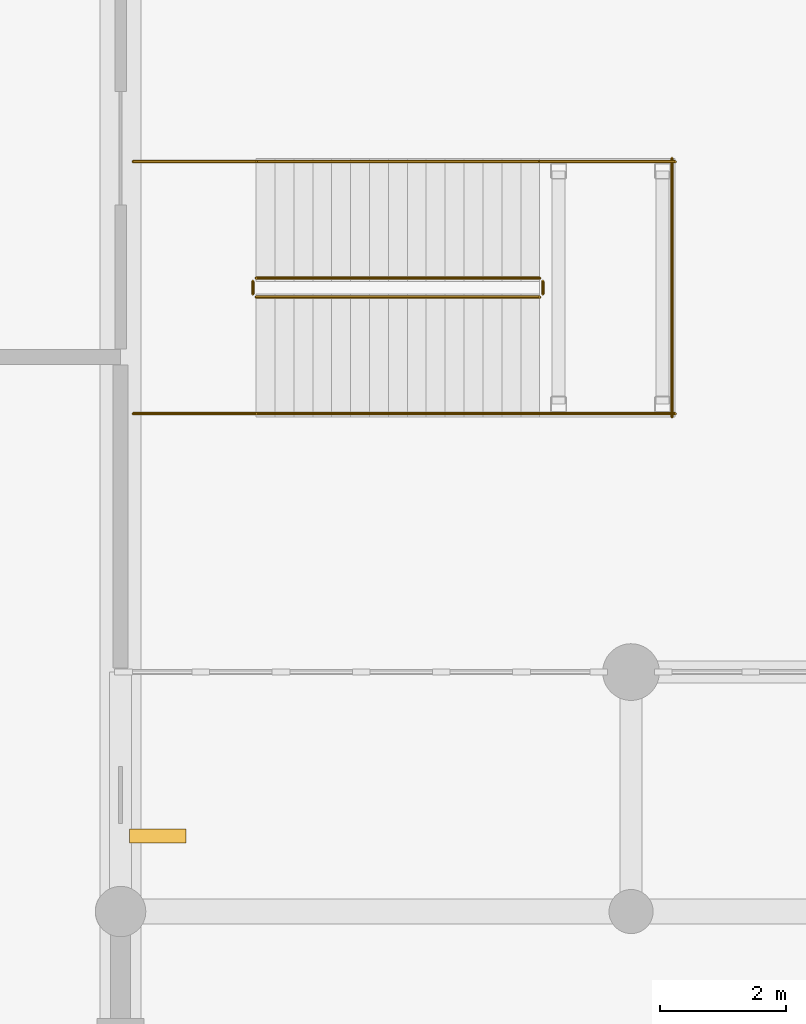
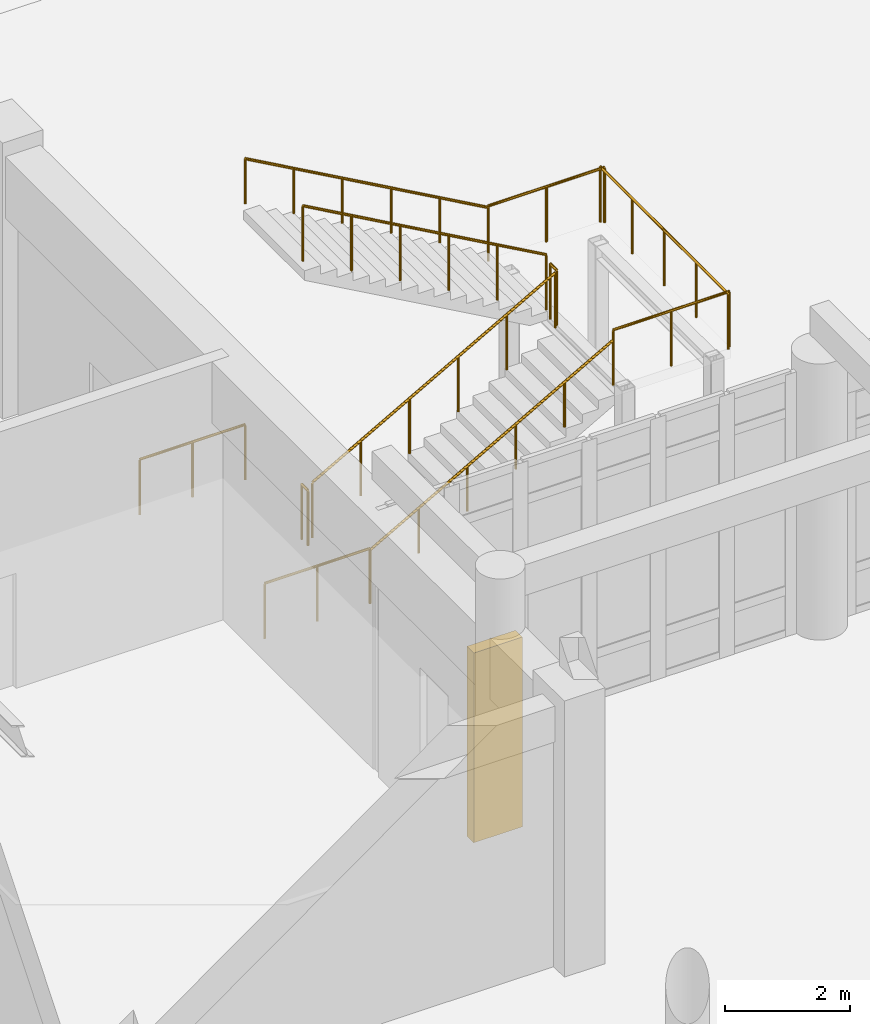
# One storey, part 54 of 62: 11 railings, 1 shading device.
"""IFC4 building model written with IfcOpenShell, lengths in metres."""

from ifc_helpers import new_model, si_unit, direction, frame, origin, origin_2d, place, context, subcontext, project, spatial, rectangle, circle, extrude, material, material_profile, profile_set, type_object, element, save


model = new_model("IFC4")

# Units and contexts
model_context = context("Model", 3, precision=1e-05, world=origin(), true_north=direction((0.0, 1.0)))
body_context = subcontext(model_context, "Body", "Model", "MODEL_VIEW")
ifc_project = project(units=[si_unit("LENGTHUNIT", "METRE"), si_unit("AREAUNIT", "SQUARE_METRE"), si_unit("VOLUMEUNIT", "CUBIC_METRE"), si_unit("PLANEANGLEUNIT", "RADIAN"), si_unit("MASSUNIT", "GRAM", prefix="KILO")], contexts=[model_context])

# Site, building, storey
site_placement = place(None, origin())
site = spatial("IfcSite", under=ifc_project, at=site_placement, CompositionType="ELEMENT")
building_placement = place(site_placement, origin())
building = spatial("IfcBuilding", under=site, at=building_placement, Name="Tarnveldt Square Police Headquarters", CompositionType="ELEMENT")
storey_placement = place(building_placement, origin())
storey = spatial("IfcBuildingStorey", under=building, at=storey_placement, Name="L00", CompositionType="ELEMENT", Elevation=0.0)

# Railings
ifc_material_1 = material(Name="Steel 350W", Category="steel")
railing_type_1 = type_object("IfcRailingType", Name="RL-GR-1100", PredefinedType="GUARDRAIL", material=ifc_material_1)
railing_1_placement = place(storey_placement, frame((66.949951171875, 27.949951171875, 0.168701171875)))
element("IfcRailing", 1, at=railing_1_placement, inside=storey, type_object=railing_type_1, Name="L00 ST5 stair guard 1", PredefinedType="GUARDRAIL", context=body_context, shape_type="SweptSolid", body=[
    extrude(circle(Radius=0.02392578125, at=origin_2d()), frame((0.0, 0.0, 1.076171875), z_axis=(0.871575537125, 0.0, 0.490261239633), x_axis=(0.0, 1.0, 0.0)), (0.0, 0.0, 1.0), 5.1630859375),
    extrude(circle(Radius=0.02099609375, at=origin_2d()), origin(), (0.0, 0.0, 1.0), 1.052001953125),
    extrude(circle(Radius=0.02099609375, at=origin_2d()), frame((0.89990234375, 0.0, 0.50634765625)), (0.0, 0.0, 1.0), 1.052001953125),
    extrude(circle(Radius=0.02099609375, at=origin_2d()), frame((1.800048828125, 0.0, 1.012451171875)), (0.0, 0.0, 1.0), 1.052001953125),
    extrude(circle(Radius=0.02099609375, at=origin_2d()), frame((2.699951171875, 0.0, 1.518798828125)), (0.0, 0.0, 1.0), 1.052001953125),
    extrude(circle(Radius=0.02099609375, at=origin_2d()), frame((3.60009765625, 0.0, 2.02490234375)), (0.0, 0.0, 1.0), 1.052001953125),
    extrude(circle(Radius=0.02099609375, at=origin_2d()), frame((4.5, 0.0, 2.53125)), (0.0, 0.0, 1.0), 1.052001953125),
])
railing_2_placement = place(storey_placement, frame((71.5, 28.0, 2.699951171875)))
element("IfcRailing", 2, at=railing_2_placement, inside=storey, type_object=railing_type_1, Name="L00 ST5 stair guard 2", PredefinedType="GUARDRAIL", context=body_context, shape_type="SweptSolid", body=[
    extrude(circle(Radius=0.02392578125, at=origin_2d()), frame((0.0, 0.0, 1.076171875), z_axis=(0.0, 1.0, 0.0), x_axis=(-1.0, 0.0, 0.0)), (0.0, 0.0, 1.0), 0.199951171875),
    extrude(circle(Radius=0.02099609375, at=origin_2d()), origin(), (0.0, 0.0, 1.0), 1.052001953125),
    extrude(circle(Radius=0.02099609375, at=origin_2d()), frame((0.0, 0.199951171875, 0.0)), (0.0, 0.0, 1.0), 1.052001953125),
])
for number, where, name in (
    (3, (71.449951171875, 26.10009765625, 2.699951171875), "L00 ST5 stair guard 3"),
    (4, (71.449951171875, 30.10009765625, 2.699951171875), "L00 ST5 stair guard 4"),
):
    element("IfcRailing", number, at=place(storey_placement, frame(where)), inside=storey, type_object=railing_type_1, Name=name, PredefinedType="GUARDRAIL", context=body_context, shape_type="SweptSolid", body=[
        extrude(circle(Radius=0.02392578125, at=origin_2d()), frame((0.0, 0.0, 1.076171875), z_axis=(1.0, 0.0, 0.0), x_axis=(0.0, 1.0, 0.0)), (0.0, 0.0, 1.0), 2.150146484375),
        extrude(circle(Radius=0.02099609375, at=origin_2d()), origin(), (0.0, 0.0, 1.0), 1.052001953125),
        extrude(circle(Radius=0.02099609375, at=origin_2d()), frame((1.0751953125, 0.0, 0.0)), (0.0, 0.0, 1.0), 1.052001953125),
        extrude(circle(Radius=0.02099609375, at=origin_2d()), frame((2.150146484375, 0.0, 0.0)), (0.0, 0.0, 1.0), 1.052001953125),
    ])
railing_3_placement = place(storey_placement, frame((73.550048828125, 26.050048828125, 2.699951171875)))
element("IfcRailing", 5, at=railing_3_placement, inside=storey, type_object=railing_type_1, Name="L00 ST5 stair guard 5", PredefinedType="GUARDRAIL", context=body_context, shape_type="SweptSolid", body=[
    extrude(circle(Radius=0.02392578125, at=origin_2d()), frame((0.0, 0.0, 1.076171875), z_axis=(0.0, 1.0, 0.0), x_axis=(-1.0, 0.0, 0.0)), (0.0, 0.0, 1.0), 4.099853515625),
    extrude(circle(Radius=0.02099609375, at=origin_2d()), origin(), (0.0, 0.0, 1.0), 1.052001953125),
    extrude(circle(Radius=0.02099609375, at=origin_2d()), frame((0.0, 1.02490234375, 0.0)), (0.0, 0.0, 1.0), 1.052001953125),
    extrude(circle(Radius=0.02099609375, at=origin_2d()), frame((0.0, 2.0498046875, 0.0)), (0.0, 0.0, 1.0), 1.052001953125),
    extrude(circle(Radius=0.02099609375, at=origin_2d()), frame((0.0, 3.074951171875, 0.0)), (0.0, 0.0, 1.0), 1.052001953125),
    extrude(circle(Radius=0.02099609375, at=origin_2d()), frame((0.0, 4.099853515625, 0.0)), (0.0, 0.0, 1.0), 1.052001953125),
])
railing_4_placement = place(storey_placement, frame((71.449951171875, 28.25, 2.86865234375)))
element("IfcRailing", 6, at=railing_4_placement, inside=storey, type_object=railing_type_1, Name="L00 ST5 stair guard 6", PredefinedType="GUARDRAIL", context=body_context, shape_type="SweptSolid", body=[
    extrude(circle(Radius=0.02392578125, at=origin_2d()), frame((0.0, 0.0, 1.076171875), z_axis=(-0.871575537125, 0.0, 0.490261239633), x_axis=(0.0, -1.0, 0.0)), (0.0, 0.0, 1.0), 5.1630859375),
    extrude(circle(Radius=0.02099609375, at=origin_2d()), origin(), (0.0, 0.0, 1.0), 1.052001953125),
    extrude(circle(Radius=0.02099609375, at=origin_2d()), frame((-0.89990234375, 0.0, 0.50634765625)), (0.0, 0.0, 1.0), 1.052001953125),
    extrude(circle(Radius=0.02099609375, at=origin_2d()), frame((-1.800048828125, 0.0, 1.012451171875)), (0.0, 0.0, 1.0), 1.052001953125),
    extrude(circle(Radius=0.02099609375, at=origin_2d()), frame((-2.699951171875, 0.0, 1.518798828125)), (0.0, 0.0, 1.0), 1.052001953125),
    extrude(circle(Radius=0.02099609375, at=origin_2d()), frame((-3.60009765625, 0.0, 2.02490234375)), (0.0, 0.0, 1.0), 1.052001953125),
    extrude(circle(Radius=0.02099609375, at=origin_2d()), frame((-4.5, 0.0, 2.53125)), (0.0, 0.0, 1.0), 1.052001953125),
])
railing_5_placement = place(storey_placement, frame((66.89990234375, 28.0, 0.0)))
element("IfcRailing", 7, at=railing_5_placement, inside=storey, type_object=railing_type_1, Name="L00 ST5 stair guard 7", PredefinedType="GUARDRAIL", context=body_context, shape_type="SweptSolid", body=[
    extrude(circle(Radius=0.02392578125, at=origin_2d()), frame((0.0, 0.0, 1.076171875), z_axis=(0.0, 1.0, 0.0), x_axis=(-1.0, 0.0, 0.0)), (0.0, 0.0, 1.0), 0.199951171875),
    extrude(circle(Radius=0.02099609375, at=origin_2d()), origin(), (0.0, 0.0, 1.0), 1.052001953125),
    extrude(circle(Radius=0.02099609375, at=origin_2d()), frame((0.0, 0.199951171875, 0.0)), (0.0, 0.0, 1.0), 1.052001953125),
])
for number, where, name in (
    (8, (65.0, 26.10009765625, 0.0), "L00 ST5 stair guard 8"),
    (9, (65.0, 30.10009765625, 0.0), "L00 ST5 stair guard 9"),
):
    element("IfcRailing", number, at=place(storey_placement, frame(where)), inside=storey, type_object=railing_type_1, Name=name, PredefinedType="GUARDRAIL", context=body_context, shape_type="SweptSolid", body=[
        extrude(circle(Radius=0.02392578125, at=origin_2d()), frame((0.0, 0.0, 1.076171875), z_axis=(1.0, 0.0, 0.0), x_axis=(0.0, 1.0, 0.0)), (0.0, 0.0, 1.0), 1.949951171875),
        extrude(circle(Radius=0.02099609375, at=origin_2d()), origin(), (0.0, 0.0, 1.0), 1.052001953125),
        extrude(circle(Radius=0.02099609375, at=origin_2d()), frame((0.97509765625, 0.0, 0.0)), (0.0, 0.0, 1.0), 1.052001953125),
        extrude(circle(Radius=0.02099609375, at=origin_2d()), frame((1.949951171875, 0.0, 0.0)), (0.0, 0.0, 1.0), 1.052001953125),
    ])
railing_type_2 = type_object("IfcRailingType", Name="RL-HR-900", PredefinedType="HANDRAIL", material=ifc_material_1)
railing_6_placement = place(storey_placement, frame((66.949951171875, 26.10009765625, 0.168701171875)))
element("IfcRailing", 10, at=railing_6_placement, inside=storey, type_object=railing_type_2, Name="L00 ST5 stair handrail 1", PredefinedType="HANDRAIL", context=body_context, shape_type="SweptSolid", body=[
    extrude(circle(Radius=0.02392578125, at=origin_2d()), frame((0.0, 0.0, 0.8759765625), z_axis=(0.871575537125, 0.0, 0.490261239633), x_axis=(0.0, 1.0, 0.0)), (0.0, 0.0, 1.0), 5.1630859375),
    extrude(circle(Radius=0.02099609375, at=origin_2d()), origin(), (0.0, 0.0, 1.0), 0.851806640625),
    extrude(circle(Radius=0.02099609375, at=origin_2d()), frame((0.89990234375, 0.0, 0.50634765625)), (0.0, 0.0, 1.0), 0.851806640625),
    extrude(circle(Radius=0.02099609375, at=origin_2d()), frame((1.800048828125, 0.0, 1.012451171875)), (0.0, 0.0, 1.0), 0.851806640625),
    extrude(circle(Radius=0.02099609375, at=origin_2d()), frame((2.699951171875, 0.0, 1.518798828125)), (0.0, 0.0, 1.0), 0.851806640625),
    extrude(circle(Radius=0.02099609375, at=origin_2d()), frame((3.60009765625, 0.0, 2.02490234375)), (0.0, 0.0, 1.0), 0.851806640625),
    extrude(circle(Radius=0.02099609375, at=origin_2d()), frame((4.5, 0.0, 2.53125)), (0.0, 0.0, 1.0), 0.851806640625),
])
railing_7_placement = place(storey_placement, frame((71.449951171875, 30.10009765625, 2.86865234375)))
element("IfcRailing", 11, at=railing_7_placement, inside=storey, type_object=railing_type_2, Name="L00 ST5 stair handrail 2", PredefinedType="HANDRAIL", context=body_context, shape_type="SweptSolid", body=[
    extrude(circle(Radius=0.02392578125, at=origin_2d()), frame((0.0, 0.0, 0.8759765625), z_axis=(-0.871575537125, 0.0, 0.490261239633), x_axis=(0.0, -1.0, 0.0)), (0.0, 0.0, 1.0), 5.1630859375),
    extrude(circle(Radius=0.02099609375, at=origin_2d()), origin(), (0.0, 0.0, 1.0), 0.851806640625),
    extrude(circle(Radius=0.02099609375, at=origin_2d()), frame((-0.89990234375, 0.0, 0.50634765625)), (0.0, 0.0, 1.0), 0.851806640625),
    extrude(circle(Radius=0.02099609375, at=origin_2d()), frame((-1.800048828125, 0.0, 1.012451171875)), (0.0, 0.0, 1.0), 0.851806640625),
    extrude(circle(Radius=0.02099609375, at=origin_2d()), frame((-2.699951171875, 0.0, 1.518798828125)), (0.0, 0.0, 1.0), 0.851806640625),
    extrude(circle(Radius=0.02099609375, at=origin_2d()), frame((-3.60009765625, 0.0, 2.02490234375)), (0.0, 0.0, 1.0), 0.851806640625),
    extrude(circle(Radius=0.02099609375, at=origin_2d()), frame((-4.5, 0.0, 2.53125)), (0.0, 0.0, 1.0), 0.851806640625),
])

# Shading device
ifc_material_2 = material(Name="Precast concrete 35 MPa", Category="concrete")
ifc_material_profile = material_profile(ifc_material_2, rectangle(XDim=0.219970703125, YDim=0.89990234375, at=origin_2d()), Name="PC-FIN220x900")
ifc_profile_set = profile_set([ifc_material_profile], Name="Precast concrete 35 MPa")
shading_device_type = type_object("IfcShadingDeviceType", Name="SHD-FIN-900", PredefinedType="USERDEFINED", material=ifc_profile_set)
shading_device_placement = place(storey_placement, frame((65.389892578125, 19.39990234375, 0.14990234375), z_axis=(0.0, 0.0, 1.0), x_axis=(0.0, 1.0, 0.0)))
element("IfcShadingDevice", 12, at=shading_device_placement, inside=storey, type_object=shading_device_type, Name="L00 Precast Deep-Reveal Brutalist Fin 001", ObjectType="SOLAR SHADING FIN", PredefinedType="USERDEFINED", context=body_context, shape_type="SweptSolid", body=[
    extrude(rectangle(XDim=0.219970703125, YDim=0.89990234375, at=origin_2d()), origin(), (0.0, 0.0, 1.0), 3.712158203125),
])

save(model, "model.ifc")
